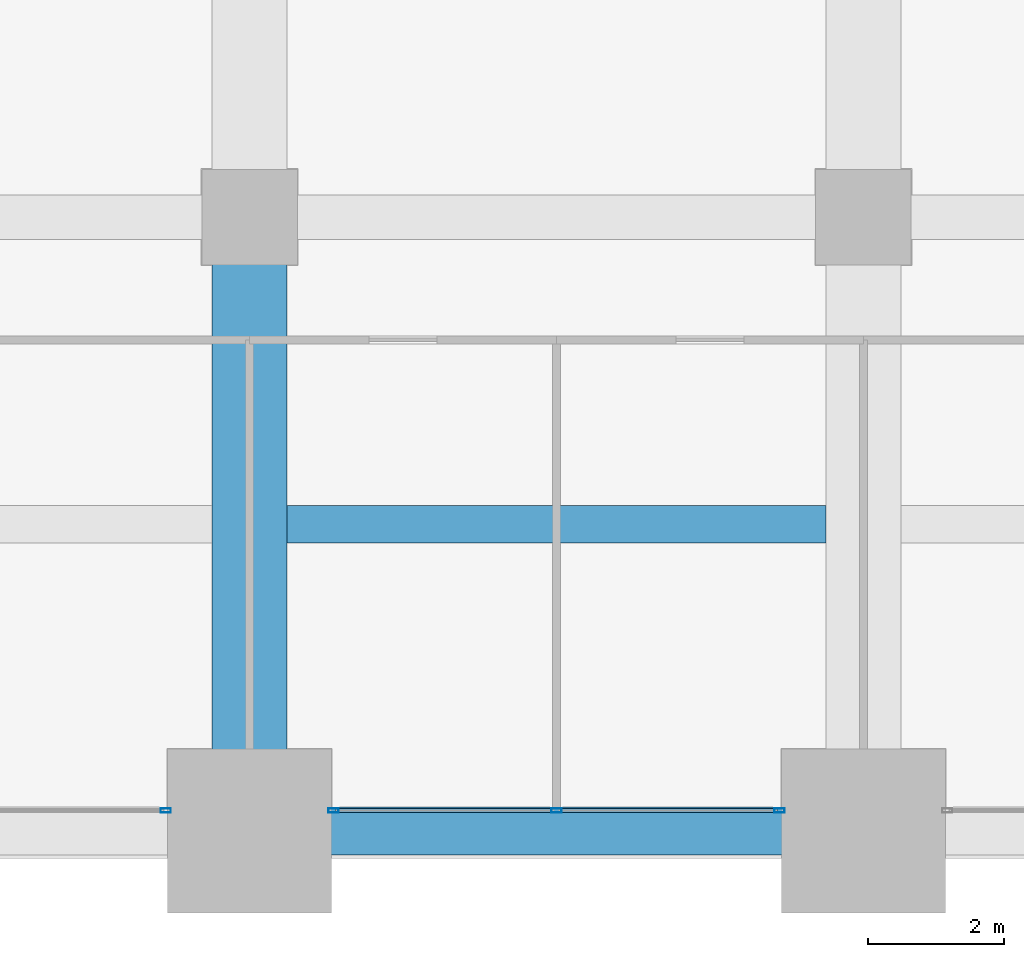
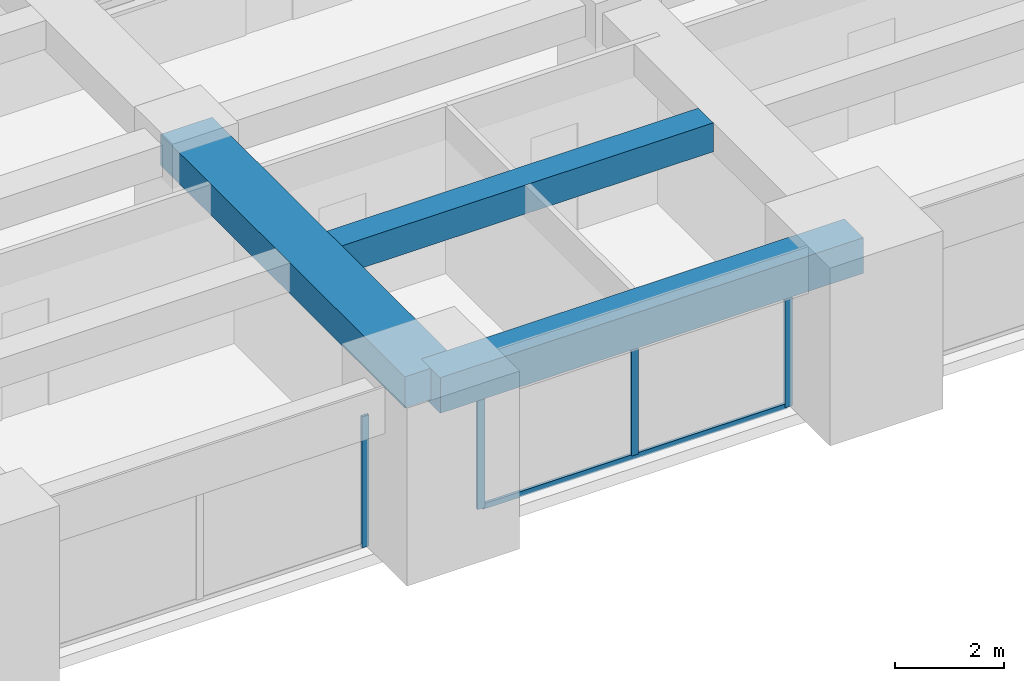
# One storey, part 6 of 34: 5 members, 3 beams, 2 elements without a shape of their own.
"""IFC4 building model written with IfcOpenShell, lengths in metres."""

import ifcopenshell
import ifcopenshell.guid

model = None  # the IFC model being written
_history = None  # IfcOwnerHistory: only IFC2X3 demands one
_inside = {}  # id of a spatial element -> (the spatial element, [elements in it])
_under = {}  # id of a project, library or spatial element -> (it, [spatial elements below it])
_declared = {}  # id of a project -> (the project, [libraries it declares])
_typed = {}  # id of a type object -> (the type object, [elements of that type])
_made_of = {}  # id of a material, layer set ... -> (it, [elements and type objects made of it])


def new_model(schema):
    """Start an empty IFC model of exactly this schema.

    Asked for "IFC4X3", IfcOpenShell would pick the latest addendum, in which some entities
    have other attributes; the version numbers below select the first issue.
    IFC2X3 requires an IfcOwnerHistory on every rooted entity: one is made here for all.
    """
    global model, _history
    if schema == "IFC4X3":
        model = ifcopenshell.file(schema_version=(4, 3, 0, 0))
    else:
        model = ifcopenshell.file(schema=schema)
    _inside.clear()
    _under.clear()
    _declared.clear()
    _typed.clear()
    _made_of.clear()
    _history = None
    if model.schema == "IFC2X3":
        org = make("IfcOrganization", Name="unknown")
        user = make(
            "IfcPersonAndOrganization",
            ThePerson=make("IfcPerson", FamilyName="unknown"),
            TheOrganization=org,
        )
        app = make(
            "IfcApplication",
            ApplicationDeveloper=org,
            Version="unknown",
            ApplicationFullName="unknown",
            ApplicationIdentifier="unknown",
        )
        _history = make(
            "IfcOwnerHistory",
            OwningUser=user,
            OwningApplication=app,
            ChangeAction="ADDED",
            CreationDate=0,
        )
    return model


def make(cls, **values):
    """One entity of the class cls with the attributes given. An attribute that is None is left unset."""
    return model.create_entity(
        cls, **{name: value for name, value in values.items() if value is not None}
    )


def rooted(cls, **values):
    """An entity with a GlobalId (a new one), such as an element, a storey or a relation."""
    return make(cls, GlobalId=ifcopenshell.guid.new(), OwnerHistory=_history, **values)


def si_unit(unit_type, name, prefix=None):
    """IfcSIUnit, for example si_unit("LENGTHUNIT", "METRE", prefix="MILLI")."""
    return make("IfcSIUnit", UnitType=unit_type, Prefix=prefix, Name=name)


def assignment(units):
    """IfcUnitAssignment: the units of a project."""
    return None if units is None else make("IfcUnitAssignment", Units=units)


def point(xyz):
    """IfcCartesianPoint."""
    return None if xyz is None else make("IfcCartesianPoint", Coordinates=xyz)


def direction(xyz):
    """IfcDirection."""
    return None if xyz is None else make("IfcDirection", DirectionRatios=xyz)


def frame(location, z_axis=None, x_axis=None):
    """IfcAxis2Placement3D, a coordinate frame: its origin and axes. An axis left out is left unset."""
    return make(
        "IfcAxis2Placement3D",
        Location=point(location),
        Axis=direction(z_axis),
        RefDirection=direction(x_axis),
    )


def frame_2d(location, x_axis=None):
    """IfcAxis2Placement2D, a coordinate frame in the plane: its origin and x axis."""
    return make(
        "IfcAxis2Placement2D", Location=point(location), RefDirection=direction(x_axis)
    )


def origin():
    """The frame at (0, 0, 0) with its axes left unset."""
    return frame((0.0, 0.0, 0.0))


def origin_2d():
    """The frame at (0, 0) in the plane with its x axis left unset."""
    return frame_2d((0.0, 0.0))


def place(relative_to, where):
    """IfcLocalPlacement: puts the frame where relative to a parent placement (None: the world)."""
    return make(
        "IfcLocalPlacement", PlacementRelTo=relative_to, RelativePlacement=where
    )


def context(
    kind, dimensions, precision=None, world=None, true_north=None, identifier=None
):
    """IfcGeometricRepresentationContext, for example the 3D "Model" context."""
    return make(
        "IfcGeometricRepresentationContext",
        ContextIdentifier=identifier,
        ContextType=kind,
        CoordinateSpaceDimension=dimensions,
        Precision=precision,
        WorldCoordinateSystem=world,
        TrueNorth=true_north,
    )


def subcontext(parent, identifier, kind, view, scale=None):
    """IfcGeometricRepresentationSubContext, for example "Body" below "Model"."""
    return make(
        "IfcGeometricRepresentationSubContext",
        ContextIdentifier=identifier,
        ContextType=kind,
        ParentContext=parent,
        TargetScale=scale,
        TargetView=view,
    )


def project(units=None, contexts=None):
    """IfcProject with its units and contexts."""
    return rooted(
        "IfcProject",
        Name="project",
        RepresentationContexts=contexts,
        UnitsInContext=assignment(units),
    )


def spatial(cls, under=None, at=None, **own):
    """A site, building, storey or space (cls), placed at a placement, below another one or the project."""
    s = rooted(cls, ObjectPlacement=at, **own)
    if under is not None:
        _under.setdefault(under.id(), (under, []))[1].append(s)
    return s


def profile(cls, at=None, kind="AREA", **sizes):
    """A parametric profile (cls). Its sizes go by their IFC names, for example OverallWidth=200.0."""
    return make(cls, ProfileType=kind, Position=at, **sizes)


def rectangle(**sizes):
    """IfcRectangleProfileDef."""
    return profile("IfcRectangleProfileDef", **sizes)


def hollow_rectangle(**sizes):
    """IfcRectangleHollowProfileDef."""
    return profile("IfcRectangleHollowProfileDef", **sizes)


def extrude(swept, where, along, depth):
    """IfcExtrudedAreaSolid: the profile swept, set in the frame where, extruded along a direction by depth."""
    return make(
        "IfcExtrudedAreaSolid",
        SweptArea=swept,
        Position=where,
        ExtrudedDirection=direction(along),
        Depth=depth,
    )


def shape(context_of_items, identifier, shape_type, items):
    """IfcShapeRepresentation: the items that make up one representation, for example the "Body"."""
    return make(
        "IfcShapeRepresentation",
        ContextOfItems=context_of_items,
        RepresentationIdentifier=identifier,
        RepresentationType=shape_type,
        Items=items,
    )


def material(Name=None, Category=None):
    """IfcMaterial."""
    return make("IfcMaterial", Name=Name, Category=Category)


def material_profile(
    of_material, cross_section, Name=None, Category=None, Priority=None
):
    """IfcMaterialProfile: a cross section and its material."""
    return make(
        "IfcMaterialProfile",
        Name=Name,
        Material=of_material,
        Profile=cross_section,
        Priority=Priority,
        Category=Category,
    )


def profile_set(profiles, Name=None, composite=None):
    """IfcMaterialProfileSet."""
    return make(
        "IfcMaterialProfileSet",
        Name=Name,
        MaterialProfiles=profiles,
        CompositeProfile=composite,
    )


def made_of(thing, what):
    """Note that an element or type object is made of a material, layer set ...; save() writes the relation."""
    if what is not None:
        _made_of.setdefault(what.id(), (what, []))[1].append(thing)
    return thing


def type_object(cls, material=None, **own):
    """A type object (cls), such as IfcWallType, which elements share."""
    return made_of(rooted(cls, **own), material)


def element(
    cls,
    number,
    at=None,
    inside=None,
    cuts=None,
    type_object=None,
    material=None,
    context=None,
    identifier="Body",
    shape_type=None,
    held_by="IfcProductDefinitionShape",
    body=None,
    shapes=None,
    **own,
):
    """One element of the class cls, such as IfcWall. Its Tag is "e" and its number.

    at: its placement. inside: the storey or other place that contains it. cuts: it is an
    opening in that element (IfcRelVoidsElement). A single representation is given by context,
    identifier, shape_type and body (its items); several are given by shapes. held_by: the class
    of the entity that holds the representations. save() writes the other relations.
    """
    e = rooted(cls, Tag="e%d" % number, ObjectPlacement=at, **own)
    if body is not None:
        shapes = [shape(context, identifier, shape_type, body)]
    if shapes is not None:
        e.Representation = make(held_by, Representations=shapes)
    if inside is not None:
        _inside.setdefault(inside.id(), (inside, []))[1].append(e)
    if cuts is not None:
        rooted(
            "IfcRelVoidsElement", RelatingBuildingElement=cuts, RelatedOpeningElement=e
        )
    if type_object is not None:
        _typed.setdefault(type_object.id(), (type_object, []))[1].append(e)
    return made_of(e, material)


def aggregate(whole, parts):
    """IfcRelAggregates: a whole, such as a stair, and the parts it consists of."""
    return rooted("IfcRelAggregates", RelatingObject=whole, RelatedObjects=parts)


def save(model, path):
    """Write the relations noted so far, then the file.

    IfcRelAggregates (storeys below a building ...), IfcRelContainedInSpatialStructure (elements
    in a storey), IfcRelDefinesByType, IfcRelAssociatesMaterial and IfcRelDeclares: one each for
    every whole, place, type object, material and project.
    """
    for whole, parts in _under.values():
        aggregate(whole, parts)
    for where, things in _inside.values():
        rooted(
            "IfcRelContainedInSpatialStructure",
            RelatedElements=things,
            RelatingStructure=where,
        )
    for kind, things in _typed.values():
        rooted("IfcRelDefinesByType", RelatedObjects=things, RelatingType=kind)
    for what, things in _made_of.values():
        rooted("IfcRelAssociatesMaterial", RelatedObjects=things, RelatingMaterial=what)
    for by, libraries in _declared.values():
        rooted("IfcRelDeclares", RelatingContext=by, RelatedDefinitions=libraries)
    model.write(path)


model = new_model("IFC4")

# Units and contexts
model_context = context("Model", 3, precision=1e-05, world=origin(), true_north=direction((0.0, 1.0)))
body_context = subcontext(model_context, "Body", "Model", "MODEL_VIEW")
ifc_project = project(units=[si_unit("LENGTHUNIT", "METRE"), si_unit("AREAUNIT", "SQUARE_METRE"), si_unit("VOLUMEUNIT", "CUBIC_METRE"), si_unit("PLANEANGLEUNIT", "RADIAN"), si_unit("MASSUNIT", "GRAM", prefix="KILO")], contexts=[model_context])

# Site, building, storey
site_placement = place(None, origin())
site = spatial("IfcSite", under=ifc_project, at=site_placement, CompositionType="ELEMENT")
building_placement = place(site_placement, origin())
building = spatial("IfcBuilding", under=site, at=building_placement, Name="Zorevar Civic Tower", CompositionType="ELEMENT")
storey_placement = place(building_placement, frame((0.0, 0.0, 214.199951171875)))
storey = spatial("IfcBuildingStorey", under=building, at=storey_placement, Name="L52", CompositionType="ELEMENT", Elevation=214.199951171875)

# Beams
ifc_material_1 = material(Name="Concrete C50/60", Category="concrete")
ifc_material_profile_1 = material_profile(ifc_material_1, rectangle(XDim=1.10009765625, YDim=0.699951171875, at=origin_2d()), Name="RC 1100x700")
ifc_profile_set_1 = profile_set([ifc_material_profile_1], Name="Concrete C50/60")
beam_type_1 = type_object("IfcBeamType", Name="Beam RC 1100x700", PredefinedType="BEAM", material=ifc_profile_set_1)
beam_1_placement = place(storey_placement, frame((18.0, 0.0, 3.400146484375), z_axis=(0.0, 1.0, 0.0), x_axis=(-1.0, 0.0, 0.0)))
element("IfcBeam", 1, at=beam_1_placement, inside=storey, type_object=beam_type_1, Name="Girder L53", PredefinedType="BEAM", context=body_context, shape_type="SweptSolid", body=[
    extrude(rectangle(XDim=1.10009765625, YDim=0.699951171875, at=origin_2d()), origin(), (0.0, 0.0, 1.0), 9.0),
])
ifc_material_2 = material(Name="Concrete C50/60", Category="concrete")
ifc_material_profile_2 = material_profile(ifc_material_2, rectangle(XDim=0.550048828125, YDim=0.64990234375, at=origin_2d()), Name="RC 550x650")
ifc_profile_set_2 = profile_set([ifc_material_profile_2], Name="Concrete C50/60")
beam_type_2 = type_object("IfcBeamType", Name="Beam RC 550x650", PredefinedType="BEAM", material=ifc_profile_set_2)
beam_2_placement = place(storey_placement, frame((18.550048828125, 4.5, 3.425048828125), z_axis=(1.0, 0.0, 0.0), x_axis=(0.0, 1.0, 0.0)))
element("IfcBeam", 2, at=beam_2_placement, inside=storey, type_object=beam_type_2, Name="Secondary beam L53", PredefinedType="BEAM", context=body_context, shape_type="SweptSolid", body=[
    extrude(rectangle(XDim=0.550048828125, YDim=0.64990234375, at=origin_2d()), origin(), (0.0, 0.0, 1.0), 7.89990234375),
])

# Curtain wall, member
ifc_material_3 = material(Name="Dark grey solar-control glass in black aluminium frame", Category="aluminium")
curtain_wall_type = type_object("IfcCurtainWallType", Name="Curtain wall CW4 high zone", PredefinedType="NOTDEFINED", material=ifc_material_3)
curtain_wall_1_placement = place(storey_placement, origin())
curtain_wall_1 = element("IfcCurtainWall", 3, at=curtain_wall_1_placement, inside=storey, type_object=curtain_wall_type, Name="CW4 L52", PredefinedType="NOTDEFINED")
ifc_material_4 = material(Name="Aluminium, black anodised", Category="aluminium")
ifc_material_profile_3 = material_profile(ifc_material_4, hollow_rectangle(XDim=0.06005859375, YDim=0.14990234375, WallThickness=0.00390625, at=origin_2d()), Name="AL 150x60x4")
ifc_profile_set_3 = profile_set([ifc_material_profile_3], Name="Aluminium, black anodised")
member_type_1 = type_object("IfcMemberType", Name="CW4 mullion AL 150x60x4", PredefinedType="MULLION", material=ifc_profile_set_3)
member_1_placement = place(storey_placement, frame((16.77001953125, 0.300048828125, 0.0), z_axis=(0.0, 0.0, 1.0), x_axis=(0.0, 1.0, 0.0)))
member_1 = element("IfcMember", 4, at=member_1_placement, type_object=member_type_1, Name="CW4 mullion 3", PredefinedType="MULLION", context=body_context, shape_type="SweptSolid", body=[
    extrude(hollow_rectangle(XDim=0.06005859375, YDim=0.14990234375, WallThickness=0.00390625, at=origin_2d()), origin(), (0.0, 0.0, 1.0), 2.949951171875),
])
aggregate(curtain_wall_1, [member_1])

# Curtain wall, members
curtain_wall_2_placement = place(storey_placement, origin())
curtain_wall_2 = element("IfcCurtainWall", 5, at=curtain_wall_2_placement, inside=storey, type_object=curtain_wall_type, Name="CW4 L52", PredefinedType="NOTDEFINED")
member_2_placement = place(storey_placement, frame((19.22998046875, 0.300048828125, 0.0), z_axis=(0.0, 0.0, 1.0), x_axis=(0.0, 1.0, 0.0)))
member_2 = element("IfcMember", 6, at=member_2_placement, type_object=member_type_1, Name="CW4 mullion 1", PredefinedType="MULLION", context=body_context, shape_type="SweptSolid", body=[
    extrude(hollow_rectangle(XDim=0.06005859375, YDim=0.14990234375, WallThickness=0.00390625, at=origin_2d()), origin(), (0.0, 0.0, 1.0), 2.949951171875),
])
member_3_placement = place(storey_placement, frame((22.5, 0.300048828125, 0.06005859375), z_axis=(0.0, 0.0, 1.0), x_axis=(0.0, 1.0, 0.0)))
member_3 = element("IfcMember", 7, at=member_3_placement, type_object=member_type_1, Name="CW4 mullion 2", PredefinedType="MULLION", context=body_context, shape_type="SweptSolid", body=[
    extrude(hollow_rectangle(XDim=0.06005859375, YDim=0.14990234375, WallThickness=0.00390625, at=origin_2d()), origin(), (0.0, 0.0, 1.0), 2.889892578125),
])
member_4_placement = place(storey_placement, frame((25.77001953125, 0.300048828125, 0.0), z_axis=(0.0, 0.0, 1.0), x_axis=(0.0, 1.0, 0.0)))
member_4 = element("IfcMember", 8, at=member_4_placement, type_object=member_type_1, Name="CW4 mullion 3", PredefinedType="MULLION", context=body_context, shape_type="SweptSolid", body=[
    extrude(hollow_rectangle(XDim=0.06005859375, YDim=0.14990234375, WallThickness=0.00390625, at=origin_2d()), origin(), (0.0, 0.0, 1.0), 2.949951171875),
])
ifc_material_5 = material(Name="Aluminium, black anodised", Category="aluminium")
ifc_material_profile_4 = material_profile(ifc_material_5, hollow_rectangle(XDim=0.06005859375, YDim=0.1201171875, WallThickness=0.0029296875, at=origin_2d()), Name="AL 120x60x3")
ifc_profile_set_4 = profile_set([ifc_material_profile_4], Name="Aluminium, black anodised")
member_type_2 = type_object("IfcMemberType", Name="CW4 transom AL 120x60x3", PredefinedType="USERDEFINED", material=ifc_profile_set_4)
member_5_placement = place(storey_placement, frame((19.260009765625, 0.300048828125, 0.030029296875), z_axis=(1.0, 0.0, 0.0), x_axis=(0.0, 1.0, 0.0)))
member_5 = element("IfcMember", 9, at=member_5_placement, type_object=member_type_2, Name="CW4 sill transom", ObjectType="TRANSOM", PredefinedType="USERDEFINED", context=body_context, shape_type="SweptSolid", body=[
    extrude(hollow_rectangle(XDim=0.06005859375, YDim=0.1201171875, WallThickness=0.0029296875, at=origin_2d()), origin(), (0.0, 0.0, 1.0), 6.47998046875),
])
aggregate(curtain_wall_2, [member_2, member_3, member_4, member_5])

# Beam
ifc_material_6 = material(Name="Concrete C50/60", Category="concrete")
ifc_material_profile_5 = material_profile(ifc_material_6, rectangle(XDim=0.699951171875, YDim=0.800048828125, at=origin_2d()), Name="RC 700x800")
ifc_profile_set_5 = profile_set([ifc_material_profile_5], Name="Concrete C50/60")
beam_type_3 = type_object("IfcBeamType", Name="Edge beam RC 700x800", PredefinedType="SPANDREL", material=ifc_profile_set_5)
beam_3_placement = place(storey_placement, frame((18.0, 0.0, 3.35009765625), z_axis=(1.0, 0.0, 0.0), x_axis=(0.0, 1.0, 0.0)))
element("IfcBeam", 10, at=beam_3_placement, inside=storey, type_object=beam_type_3, Name="Edge beam L53", PredefinedType="SPANDREL", context=body_context, shape_type="SweptSolid", body=[
    extrude(rectangle(XDim=0.699951171875, YDim=0.800048828125, at=origin_2d()), origin(), (0.0, 0.0, 1.0), 9.0),
])

save(model, "model.ifc")
